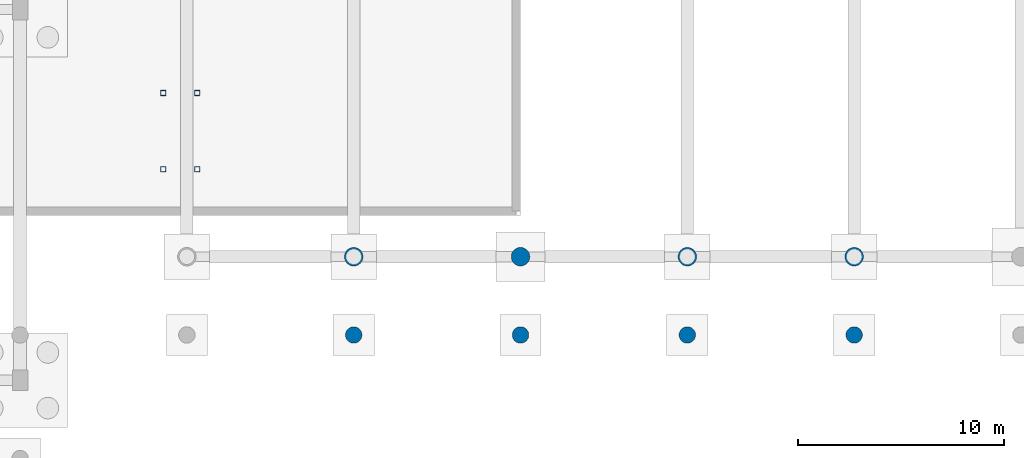
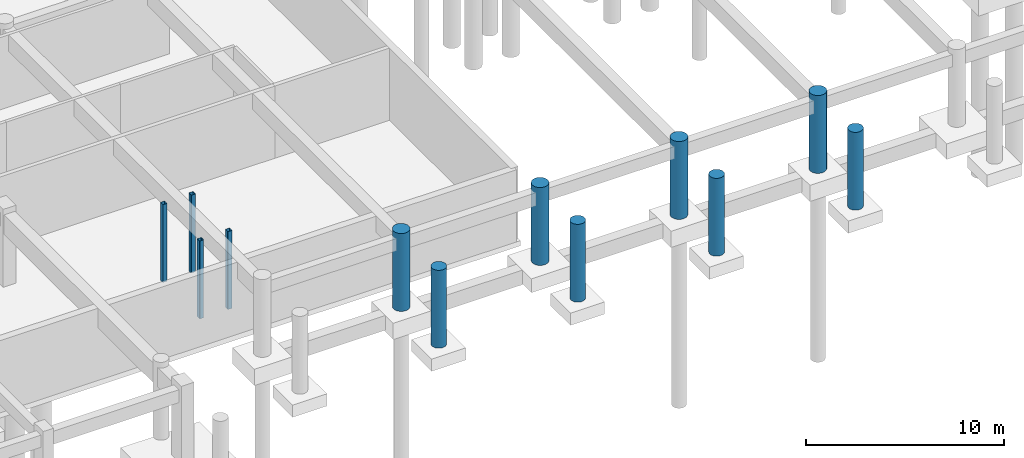
# One storey, part 8 of 25: 12 columns.
"""IFC4 building model written with IfcOpenShell, lengths in metres."""

from ifc_helpers import new_model, si_unit, direction, frame, origin, origin_2d, place, context, subcontext, project, spatial, hollow_rectangle, circle, extrude, material, material_profile, profile_set, type_object, element, save


model = new_model("IFC4")

# Units and contexts
model_context = context("Model", 3, precision=1e-05, world=origin(), true_north=direction((0.0, 1.0)))
body_context = subcontext(model_context, "Body", "Model", "MODEL_VIEW")
ifc_project = project(units=[si_unit("LENGTHUNIT", "METRE"), si_unit("AREAUNIT", "SQUARE_METRE"), si_unit("VOLUMEUNIT", "CUBIC_METRE"), si_unit("PLANEANGLEUNIT", "RADIAN"), si_unit("MASSUNIT", "GRAM", prefix="KILO")], contexts=[model_context])

# Site, building, storey
site_placement = place(None, origin())
site = spatial("IfcSite", under=ifc_project, at=site_placement, CompositionType="ELEMENT")
building_placement = place(site_placement, origin())
building = spatial("IfcBuilding", under=site, at=building_placement, Name="Tarnveldt Square Police Headquarters", CompositionType="ELEMENT")
storey_placement = place(building_placement, frame((0.0, 0.0, -4.800048828125)))
storey = spatial("IfcBuildingStorey", under=building, at=storey_placement, Name="B1", CompositionType="ELEMENT", Elevation=-4.800048828125)

# Columns
ifc_material_1 = material(Name="Concrete 40 MPa", Category="concrete")
ifc_material_profile_1 = material_profile(ifc_material_1, circle(Radius=0.39990234375, at=origin_2d()), Name="RC-D800")
ifc_profile_set_1 = profile_set([ifc_material_profile_1], Name="Concrete 40 MPa")
column_type_1 = type_object("IfcColumnType", Name="COL-D800", PredefinedType="COLUMN", material=ifc_profile_set_1)
for number, where, z_axis, x_axis, name in (
    (1, (81.0, 18.199951171875, 0.0), (0.0, 0.0, 1.0), (1.0, 0.0, 0.0), "Colonnade Foundation Pier 10"),
    (2, (89.10009765625, 18.199951171875, 0.0), (0.0, 0.0, 1.0), (1.0, 0.0, 0.0), "Colonnade Foundation Pier 11"),
    (3, (97.199951171875, 18.199951171875, 0.0), (0.0, 0.0, 1.0), (1.0, 0.0, 0.0), "Colonnade Foundation Pier 12"),
    (4, (105.300048828125, 18.199951171875, 0.0), (0.0, 0.0, 1.0), (1.0, 0.0, 0.0), "Colonnade Foundation Pier 13"),
):
    element("IfcColumn", number, at=place(storey_placement, frame(where, z_axis=z_axis, x_axis=x_axis)), inside=storey, type_object=column_type_1, Name=name, PredefinedType="COLUMN", context=body_context, shape_type="SweptSolid", body=[
        extrude(circle(Radius=0.39990234375, at=origin_2d()), origin(), (0.0, 0.0, 1.0), 4.800048828125),
    ])
ifc_material_2 = material(Name="Concrete 50 MPa", Category="concrete")
ifc_material_profile_2 = material_profile(ifc_material_2, circle(Radius=0.449951171875, at=origin_2d()), Name="RC-D900")
ifc_profile_set_2 = profile_set([ifc_material_profile_2], Name="Concrete 50 MPa")
column_type_2 = type_object("IfcColumnType", Name="COL-D900", PredefinedType="COLUMN", material=ifc_profile_set_2)
for number, where, z_axis, x_axis, name in (
    (5, (81.0, 22.0, 0.0), (0.0, 0.0, 1.0), (1.0, 0.0, 0.0), "B1 Column 117"),
    (6, (89.10009765625, 22.0, 0.0), (0.0, 0.0, 1.0), (1.0, 0.0, 0.0), "B1 Column 127"),
    (7, (97.199951171875, 22.0, 0.0), (0.0, 0.0, 1.0), (1.0, 0.0, 0.0), "B1 Column 132"),
    (8, (105.300048828125, 22.0, 0.0), (0.0, 0.0, 1.0), (1.0, 0.0, 0.0), "B1 Column 143"),
):
    element("IfcColumn", number, at=place(storey_placement, frame(where, z_axis=z_axis, x_axis=x_axis)), inside=storey, type_object=column_type_2, Name=name, PredefinedType="COLUMN", context=body_context, shape_type="SweptSolid", body=[
        extrude(circle(Radius=0.449951171875, at=origin_2d()), origin(), (0.0, 0.0, 1.0), 4.800048828125),
    ])
ifc_material_3 = material(Name="Steel 350W", Category="steel")
ifc_material_profile_3 = material_profile(ifc_material_3, hollow_rectangle(XDim=0.25390625, YDim=0.25390625, WallThickness=0.0126953125, InnerFilletRadius=0.0126953125, OuterFilletRadius=0.025390625, at=origin_2d()), Name="HSS254x254x13")
ifc_profile_set_3 = profile_set([ifc_material_profile_3], Name="Steel 350W")
column_type_3 = type_object("IfcColumnType", Name="COL-HSS254x13", PredefinedType="COLUMN", material=ifc_profile_set_3)
for number, where, z_axis, x_axis, name in (
    (9, (73.39990234375, 26.25, 0.0), (0.0, 0.0, 1.0), (1.0, 0.0, 0.0), "Monumental Stair ST5 Pier 1"),
    (10, (73.39990234375, 29.949951171875, 0.0), (0.0, 0.0, 1.0), (1.0, 0.0, 0.0), "Monumental Stair ST5 Pier 2"),
    (11, (71.75, 26.25, 0.0), (0.0, 0.0, 1.0), (1.0, 0.0, 0.0), "Monumental Stair ST5 Pier 3"),
    (12, (71.75, 29.949951171875, 0.0), (0.0, 0.0, 1.0), (1.0, 0.0, 0.0), "Monumental Stair ST5 Pier 4"),
):
    element("IfcColumn", number, at=place(storey_placement, frame(where, z_axis=z_axis, x_axis=x_axis)), inside=storey, type_object=column_type_3, Name=name, PredefinedType="COLUMN", context=body_context, shape_type="SweptSolid", body=[
        extrude(hollow_rectangle(XDim=0.25390625, YDim=0.25390625, WallThickness=0.0126953125, InnerFilletRadius=0.0126953125, OuterFilletRadius=0.025390625, at=origin_2d()), origin(), (0.0, 0.0, 1.0), 4.800048828125),
    ])

save(model, "model.ifc")
